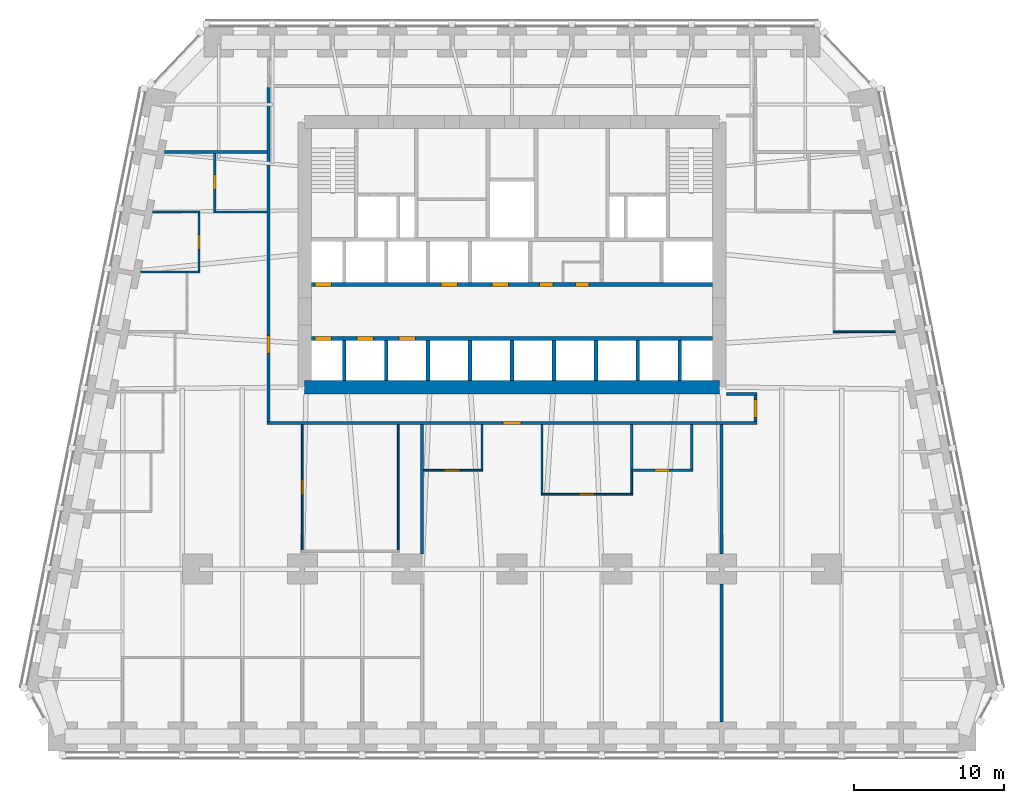
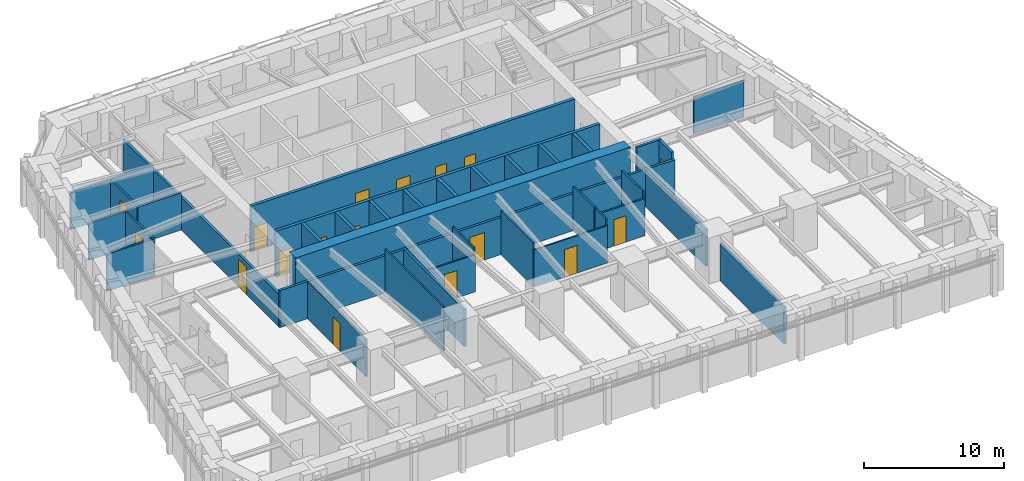
# One storey, part 6 of 10: 36 walls, 17 doors, 17 openings.
"""IFC4 building model written with IfcOpenShell, lengths in metres."""

from ifc_helpers import new_model, si_unit, direction, frame, frame_2d, origin, place, context, subcontext, project, spatial, rectangle, extrude, material, layer, layer_set, type_object, element, fill, save


model = new_model("IFC4")

# Units and contexts
model_context = context("Model", 3, precision=1e-05, world=origin(), true_north=direction((0.0, 1.0)))
body_context = subcontext(model_context, "Body", "Model", "MODEL_VIEW")
ifc_project = project(units=[si_unit("LENGTHUNIT", "METRE"), si_unit("AREAUNIT", "SQUARE_METRE"), si_unit("VOLUMEUNIT", "CUBIC_METRE"), si_unit("PLANEANGLEUNIT", "RADIAN"), si_unit("MASSUNIT", "GRAM", prefix="KILO")], contexts=[model_context])

# Site, building, storey
site_placement = place(None, origin())
site = spatial("IfcSite", under=ifc_project, at=site_placement, CompositionType="ELEMENT")
building_placement = place(site_placement, origin())
building = spatial("IfcBuilding", under=site, at=building_placement, Name="Isbrekke Arena Tower", CompositionType="ELEMENT")
storey_placement = place(building_placement, frame((0.0, 0.0, 56.0)))
storey = spatial("IfcBuildingStorey", under=building, at=storey_placement, Name="L11", CompositionType="ELEMENT", Elevation=56.0)

# Wall
ifc_material_1 = material(Name="Concrete B65 (C65/80)", Category="concrete")
ifc_layer_1 = layer(ifc_material_1, 0.89990234375)
ifc_layer_set_1 = layer_set([ifc_layer_1], Name="CW2 CORE WALL 900")
wall_type_1 = type_object("IfcWallType", Name="CW2 CORE WALL 900", PredefinedType="SHEAR", material=ifc_layer_set_1)
wall_1_placement = place(storey_placement, frame((-13.85009765625, 6.14990234375, 0.0), z_axis=(0.0, 0.0, 1.0), x_axis=(1.0, 0.0, 0.0)))
element("IfcWall", 1, at=wall_1_placement, inside=storey, type_object=wall_type_1, Name="Core wall S L11", PredefinedType="SHEAR", context=body_context, shape_type="SweptSolid", body=[
    extrude(rectangle(XDim=27.7001953125, YDim=0.89990234375, at=frame_2d((13.85009765625, 0.0))), origin(), (0.0, 0.0, 1.0), 4.0),
])

# Wall, openings, doors
ifc_material_2 = material(Name="Concrete B45 (C45/55)", Category="concrete")
ifc_layer_2 = layer(ifc_material_2, 0.25)
ifc_layer_set_2 = layer_set([ifc_layer_2], Name="CW6 SHAFT WALL 250")
wall_type_2 = type_object("IfcWallType", Name="CW6 SHAFT WALL 250", PredefinedType="SHEAR", material=ifc_layer_set_2)
wall_2_placement = place(storey_placement, frame((-13.39990234375, 9.39990234375, 0.0), z_axis=(0.0, 0.0, 1.0), x_axis=(1.0, 0.0, 0.0)))
wall_2 = element("IfcWall", 2, at=wall_2_placement, inside=storey, type_object=wall_type_2, Name="Core wall LS L11", PredefinedType="SHEAR", context=body_context, shape_type="SweptSolid", body=[
    extrude(rectangle(XDim=26.7998046875, YDim=0.25, at=frame_2d((13.39990234375, 0.0))), origin(), (0.0, 0.0, 1.0), 4.0),
])
opening_1_placement = place(wall_2_placement, frame((0.25, 0.0, 0.0)))
opening_1 = element("IfcOpeningElement", 3, at=opening_1_placement, cuts=wall_2, Name="Opening LD1", PredefinedType="OPENING", context=body_context, shape_type="SweptSolid", body=[
    extrude(rectangle(XDim=1.10009765625, YDim=2.10009765625, at=frame_2d((0.550048828125, 1.050048828125))), frame((0.0, 0.139892578125, 0.0), z_axis=(0.0, -1.0, 0.0), x_axis=(1.0, 0.0, 0.0)), (0.0, 0.0, 1.0), 0.27978515625),
])
opening_2_placement = place(wall_2_placement, frame((3.050048828125, 0.0, 0.0)))
opening_2 = element("IfcOpeningElement", 4, at=opening_2_placement, cuts=wall_2, Name="Opening LD1", PredefinedType="OPENING", context=body_context, shape_type="SweptSolid", body=[
    extrude(rectangle(XDim=1.10009765625, YDim=2.10009765625, at=frame_2d((0.550048828125, 1.050048828125))), frame((0.0, 0.139892578125, 0.0), z_axis=(0.0, -1.0, 0.0), x_axis=(1.0, 0.0, 0.0)), (0.0, 0.0, 1.0), 0.27978515625),
])
opening_3_placement = place(wall_2_placement, frame((5.85009765625, 0.0, 0.0)))
opening_3 = element("IfcOpeningElement", 5, at=opening_3_placement, cuts=wall_2, Name="Opening LD1", PredefinedType="OPENING", context=body_context, shape_type="SweptSolid", body=[
    extrude(rectangle(XDim=1.10009765625, YDim=2.10009765625, at=frame_2d((0.550048828125, 1.050048828125))), frame((0.0, 0.139892578125, 0.0), z_axis=(0.0, -1.0, 0.0), x_axis=(1.0, 0.0, 0.0)), (0.0, 0.0, 1.0), 0.27978515625),
])
ifc_material_3 = material(Name="Stainless steel lift landing door", Category="steel")
door_type_1 = type_object("IfcDoorType", Name="LD1 LIFT LANDING DOOR 1100 x 2100", OperationType="SLIDING_TO_LEFT", PredefinedType="DOOR", material=ifc_material_3)
door_1_placement = place(opening_1_placement, origin())
door_1 = element("IfcDoor", 6, at=door_1_placement, inside=storey, type_object=door_type_1, Name="LD1 lift landing door LA L11", OperationType="SLIDING_TO_LEFT", OverallHeight=2.10009765625, OverallWidth=1.10009765625, PredefinedType="DOOR", context=body_context, shape_type="SweptSolid", body=[
    extrude(rectangle(XDim=1.10009765625, YDim=2.10009765625, at=frame_2d((0.550048828125, 1.050048828125))), frame((0.0, 0.124755859375, 0.0), z_axis=(0.0, -1.0, 0.0), x_axis=(1.0, 0.0, 0.0)), (0.0, 0.0, 1.0), 0.24951171875),
])
fill(opening_1, door_1)
door_2_placement = place(opening_2_placement, origin())
door_2 = element("IfcDoor", 7, at=door_2_placement, inside=storey, type_object=door_type_1, Name="LD1 lift landing door LA L11", OperationType="SLIDING_TO_LEFT", OverallHeight=2.10009765625, OverallWidth=1.10009765625, PredefinedType="DOOR", context=body_context, shape_type="SweptSolid", body=[
    extrude(rectangle(XDim=1.10009765625, YDim=2.10009765625, at=frame_2d((0.550048828125, 1.050048828125))), frame((0.0, 0.124755859375, 0.0), z_axis=(0.0, -1.0, 0.0), x_axis=(1.0, 0.0, 0.0)), (0.0, 0.0, 1.0), 0.24951171875),
])
fill(opening_2, door_2)
door_3_placement = place(opening_3_placement, origin())
door_3 = element("IfcDoor", 8, at=door_3_placement, inside=storey, type_object=door_type_1, Name="LD1 lift landing door LA L11", OperationType="SLIDING_TO_LEFT", OverallHeight=2.10009765625, OverallWidth=1.10009765625, PredefinedType="DOOR", context=body_context, shape_type="SweptSolid", body=[
    extrude(rectangle(XDim=1.10009765625, YDim=2.10009765625, at=frame_2d((0.550048828125, 1.050048828125))), frame((0.0, 0.124755859375, 0.0), z_axis=(0.0, -1.0, 0.0), x_axis=(1.0, 0.0, 0.0)), (0.0, 0.0, 1.0), 0.24951171875),
])
fill(opening_3, door_3)

wall_3_placement = place(storey_placement, frame((-13.39990234375, 13.0, 0.0), z_axis=(0.0, 0.0, 1.0), x_axis=(1.0, 0.0, 0.0)))
wall_3 = element("IfcWall", 9, at=wall_3_placement, inside=storey, type_object=wall_type_2, Name="Core wall LN L11", PredefinedType="SHEAR", context=body_context, shape_type="SweptSolid", body=[
    extrude(rectangle(XDim=26.7998046875, YDim=0.25, at=frame_2d((13.39990234375, 0.0))), origin(), (0.0, 0.0, 1.0), 4.0),
])
opening_4_placement = place(wall_3_placement, frame((0.25, 0.0, 0.0)))
opening_4 = element("IfcOpeningElement", 10, at=opening_4_placement, cuts=wall_3, Name="Opening LD1", PredefinedType="OPENING", context=body_context, shape_type="SweptSolid", body=[
    extrude(rectangle(XDim=1.10009765625, YDim=2.10009765625, at=frame_2d((0.550048828125, 1.050048828125))), frame((0.0, 0.139892578125, 0.0), z_axis=(0.0, -1.0, 0.0), x_axis=(1.0, 0.0, 0.0)), (0.0, 0.0, 1.0), 0.27978515625),
])
opening_5_placement = place(wall_3_placement, frame((8.64990234375, 0.0, 0.0)))
opening_5 = element("IfcOpeningElement", 11, at=opening_5_placement, cuts=wall_3, Name="Opening LD1", PredefinedType="OPENING", context=body_context, shape_type="SweptSolid", body=[
    extrude(rectangle(XDim=1.10009765625, YDim=2.10009765625, at=frame_2d((0.550048828125, 1.050048828125))), frame((0.0, 0.139892578125, 0.0), z_axis=(0.0, -1.0, 0.0), x_axis=(1.0, 0.0, 0.0)), (0.0, 0.0, 1.0), 0.27978515625),
])
opening_6_placement = place(wall_3_placement, frame((12.050048828125, 0.0, 0.0)))
opening_6 = element("IfcOpeningElement", 12, at=opening_6_placement, cuts=wall_3, Name="Opening LD1", PredefinedType="OPENING", context=body_context, shape_type="SweptSolid", body=[
    extrude(rectangle(XDim=1.10009765625, YDim=2.10009765625, at=frame_2d((0.550048828125, 1.050048828125))), frame((0.0, 0.139892578125, 0.0), z_axis=(0.0, -1.0, 0.0), x_axis=(1.0, 0.0, 0.0)), (0.0, 0.0, 1.0), 0.27978515625),
])
opening_7_placement = place(wall_3_placement, frame((15.25, 0.0, 0.0)))
opening_7 = element("IfcOpeningElement", 13, at=opening_7_placement, cuts=wall_3, Name="Opening D5", PredefinedType="OPENING", context=body_context, shape_type="SweptSolid", body=[
    extrude(rectangle(XDim=0.89990234375, YDim=2.10009765625, at=frame_2d((0.449951171875, 1.050048828125))), frame((0.0, 0.139892578125, 0.0), z_axis=(0.0, -1.0, 0.0), x_axis=(1.0, 0.0, 0.0)), (0.0, 0.0, 1.0), 0.27978515625),
])
opening_8_placement = place(wall_3_placement, frame((17.64990234375, 0.0, 0.0)))
opening_8 = element("IfcOpeningElement", 14, at=opening_8_placement, cuts=wall_3, Name="Opening D5", PredefinedType="OPENING", context=body_context, shape_type="SweptSolid", body=[
    extrude(rectangle(XDim=0.89990234375, YDim=2.10009765625, at=frame_2d((0.449951171875, 1.050048828125))), frame((0.0, 0.139892578125, 0.0), z_axis=(0.0, -1.0, 0.0), x_axis=(1.0, 0.0, 0.0)), (0.0, 0.0, 1.0), 0.27978515625),
])
ifc_material_4 = material(Name="Steel fire door", Category="steel")
door_type_2 = type_object("IfcDoorType", Name="D5 SERVICE DOOR 900 x 2100", OperationType="SINGLE_SWING_LEFT", PredefinedType="DOOR", material=ifc_material_4)
door_4_placement = place(opening_7_placement, origin())
door_4 = element("IfcDoor", 15, at=door_4_placement, inside=storey, type_object=door_type_2, Name="D5 communications room door L11", OperationType="SINGLE_SWING_LEFT", OverallHeight=2.10009765625, OverallWidth=0.89990234375, PredefinedType="DOOR", context=body_context, shape_type="SweptSolid", body=[
    extrude(rectangle(XDim=0.89990234375, YDim=2.10009765625, at=frame_2d((0.449951171875, 1.050048828125))), frame((0.0, 0.124755859375, 0.0), z_axis=(0.0, -1.0, 0.0), x_axis=(1.0, 0.0, 0.0)), (0.0, 0.0, 1.0), 0.24951171875),
])
fill(opening_7, door_4)
door_5_placement = place(opening_8_placement, origin())
door_5 = element("IfcDoor", 16, at=door_5_placement, inside=storey, type_object=door_type_2, Name="D5 cleaner's store door L11", OperationType="SINGLE_SWING_LEFT", OverallHeight=2.10009765625, OverallWidth=0.89990234375, PredefinedType="DOOR", context=body_context, shape_type="SweptSolid", body=[
    extrude(rectangle(XDim=0.89990234375, YDim=2.10009765625, at=frame_2d((0.449951171875, 1.050048828125))), frame((0.0, 0.124755859375, 0.0), z_axis=(0.0, -1.0, 0.0), x_axis=(1.0, 0.0, 0.0)), (0.0, 0.0, 1.0), 0.24951171875),
])
fill(opening_8, door_5)
door_6_placement = place(opening_4_placement, origin())
door_6 = element("IfcDoor", 17, at=door_6_placement, inside=storey, type_object=door_type_1, Name="LD1 lift landing door LA L11", OperationType="SLIDING_TO_LEFT", OverallHeight=2.10009765625, OverallWidth=1.10009765625, PredefinedType="DOOR", context=body_context, shape_type="SweptSolid", body=[
    extrude(rectangle(XDim=1.10009765625, YDim=2.10009765625, at=frame_2d((0.550048828125, 1.050048828125))), frame((0.0, 0.124755859375, 0.0), z_axis=(0.0, -1.0, 0.0), x_axis=(1.0, 0.0, 0.0)), (0.0, 0.0, 1.0), 0.24951171875),
])
fill(opening_4, door_6)
door_7_placement = place(opening_5_placement, origin())
door_7 = element("IfcDoor", 18, at=door_7_placement, inside=storey, type_object=door_type_1, Name="LD1 lift landing door LA L11", OperationType="SLIDING_TO_LEFT", OverallHeight=2.10009765625, OverallWidth=1.10009765625, PredefinedType="DOOR", context=body_context, shape_type="SweptSolid", body=[
    extrude(rectangle(XDim=1.10009765625, YDim=2.10009765625, at=frame_2d((0.550048828125, 1.050048828125))), frame((0.0, 0.124755859375, 0.0), z_axis=(0.0, -1.0, 0.0), x_axis=(1.0, 0.0, 0.0)), (0.0, 0.0, 1.0), 0.24951171875),
])
fill(opening_5, door_7)
door_8_placement = place(opening_6_placement, origin())
door_8 = element("IfcDoor", 19, at=door_8_placement, inside=storey, type_object=door_type_1, Name="LD1 lift landing door LA L11", OperationType="SLIDING_TO_LEFT", OverallHeight=2.10009765625, OverallWidth=1.10009765625, PredefinedType="DOOR", context=body_context, shape_type="SweptSolid", body=[
    extrude(rectangle(XDim=1.10009765625, YDim=2.10009765625, at=frame_2d((0.550048828125, 1.050048828125))), frame((0.0, 0.124755859375, 0.0), z_axis=(0.0, -1.0, 0.0), x_axis=(1.0, 0.0, 0.0)), (0.0, 0.0, 1.0), 0.24951171875),
])
fill(opening_6, door_8)

# Walls
for number, where, z_axis, x_axis, name in (
    (20, (-11.199951171875, 6.60009765625, 0.0), (0.0, 0.0, 1.0), (0.0, 1.0, 0.0), "Core wall SS01 L11"),
    (21, (-8.39990234375, 6.60009765625, 0.0), (0.0, 0.0, 1.0), (0.0, 1.0, 0.0), "Core wall SS02 L11"),
    (22, (-5.60009765625, 6.60009765625, 0.0), (0.0, 0.0, 1.0), (0.0, 1.0, 0.0), "Core wall SS03 L11"),
    (23, (-2.800048828125, 6.60009765625, 0.0), (0.0, 0.0, 1.0), (0.0, 1.0, 0.0), "Core wall SS04 L11"),
    (24, (0.0, 6.60009765625, 0.0), (0.0, 0.0, 1.0), (0.0, 1.0, 0.0), "Core wall SS05 L11"),
    (25, (2.800048828125, 6.60009765625, 0.0), (0.0, 0.0, 1.0), (0.0, 1.0, 0.0), "Core wall SS06 L11"),
    (26, (5.60009765625, 6.60009765625, 0.0), (0.0, 0.0, 1.0), (0.0, 1.0, 0.0), "Core wall SS07 L11"),
    (27, (8.39990234375, 6.60009765625, 0.0), (0.0, 0.0, 1.0), (0.0, 1.0, 0.0), "Core wall SS08 L11"),
    (28, (11.199951171875, 6.60009765625, 0.0), (0.0, 0.0, 1.0), (0.0, 1.0, 0.0), "Core wall SS09 L11"),
):
    element("IfcWall", number, at=place(storey_placement, frame(where, z_axis=z_axis, x_axis=x_axis)), inside=storey, type_object=wall_type_2, Name=name, PredefinedType="SHEAR", context=body_context, shape_type="SweptSolid", body=[
        extrude(rectangle(XDim=2.6748046875, YDim=0.25, at=frame_2d((1.33740234375, 0.0))), origin(), (0.0, 0.0, 1.0), 4.0),
    ])

# Wall, opening, door
ifc_material_5 = material(Name="Gypsum board partition on steel studs", Category="steel")
ifc_layer_3 = layer(ifc_material_5, 0.14990234375)
ifc_layer_set_3 = layer_set([ifc_layer_3], Name="IW1 PARTITION 150")
wall_type_3 = type_object("IfcWallType", Name="IW1 PARTITION 150", PredefinedType="PARTITIONING", material=ifc_layer_set_3)
wall_4_placement = place(storey_placement, frame((7.925048828125, 0.60009765625, 0.0), z_axis=(0.0, 0.0, 1.0), x_axis=(1.0, 0.0, 0.0)))
wall_4 = element("IfcWall", 29, at=wall_4_placement, inside=storey, type_object=wall_type_3, Name="IW1 partition 150 L11", PredefinedType="PARTITIONING", context=body_context, shape_type="SweptSolid", body=[
    extrude(rectangle(XDim=4.14990234375, YDim=0.14990234375, at=frame_2d((2.074951171875, 0.0))), origin(), (0.0, 0.0, 1.0), 3.25),
])
opening_9_placement = place(wall_4_placement, frame((1.574951171875, 0.0, 0.0)))
opening_9 = element("IfcOpeningElement", 30, at=opening_9_placement, cuts=wall_4, Name="Opening D10", PredefinedType="OPENING", context=body_context, shape_type="SweptSolid", body=[
    extrude(rectangle(XDim=1.0, YDim=2.300048828125, at=frame_2d((0.5, 1.14990234375))), frame((0.0, 0.08984375, 0.0), z_axis=(0.0, -1.0, 0.0), x_axis=(1.0, 0.0, 0.0)), (0.0, 0.0, 1.0), 0.1796875),
])
ifc_material_6 = material(Name="Timber door", Category="wood")
door_type_3 = type_object("IfcDoorType", Name="D10 OFFICE DOOR 1000 x 2300", OperationType="SINGLE_SWING_LEFT", PredefinedType="DOOR", material=ifc_material_6)
door_9_placement = place(opening_9_placement, origin())
door_9 = element("IfcDoor", 31, at=door_9_placement, inside=storey, type_object=door_type_3, Name="D10 pantry door L11", OperationType="SINGLE_SWING_LEFT", OverallHeight=2.300048828125, OverallWidth=1.0, PredefinedType="DOOR", context=body_context, shape_type="SweptSolid", body=[
    extrude(rectangle(XDim=1.0, YDim=2.300048828125, at=frame_2d((0.5, 1.14990234375))), frame((0.0, 0.07470703125, 0.0), z_axis=(0.0, -1.0, 0.0), x_axis=(1.0, 0.0, 0.0)), (0.0, 0.0, 1.0), 0.1494140625),
])
fill(opening_9, door_9)

# Walls
wall_5_placement = place(storey_placement, frame((-24.79638671875, 13.840087890625, 0.0), z_axis=(0.0, 0.0, 1.0), x_axis=(1.0, 0.0, 0.0)))
element("IfcWall", 32, at=wall_5_placement, inside=storey, type_object=wall_type_3, Name="IW1 partition 150 L11", PredefinedType="PARTITIONING", context=body_context, shape_type="SweptSolid", body=[
    extrude(rectangle(XDim=3.971435546875, YDim=0.14990234375, at=frame_2d((1.98583984375, 0.0))), origin(), (0.0, 0.0, 1.0), 3.25),
])
wall_6_placement = place(storey_placement, frame((-23.996337890625, 17.840087890625, 0.0), z_axis=(0.0, 0.0, 1.0), x_axis=(1.0, 0.0, 0.0)))
element("IfcWall", 33, at=wall_6_placement, inside=storey, type_object=wall_type_3, Name="IW1 partition 150 L11", PredefinedType="PARTITIONING", context=body_context, shape_type="SweptSolid", body=[
    extrude(rectangle(XDim=3.17138671875, YDim=0.14990234375, at=frame_2d((1.585693359375, 0.0))), origin(), (0.0, 0.0, 1.0), 3.25),
])
wall_7_placement = place(storey_placement, frame((-19.925048828125, 17.840087890625, 0.0), z_axis=(0.0, 0.0, 1.0), x_axis=(1.0, 0.0, 0.0)))
element("IfcWall", 34, at=wall_7_placement, inside=storey, type_object=wall_type_3, Name="IW1 partition 150 L11", PredefinedType="PARTITIONING", context=body_context, shape_type="SweptSolid", body=[
    extrude(rectangle(XDim=3.574951171875, YDim=0.14990234375, at=frame_2d((1.78759765625, 0.0))), origin(), (0.0, 0.0, 1.0), 3.25),
])

# Wall, opening, door
wall_8_placement = place(storey_placement, frame((-20.89990234375, 13.9150390625, 0.0), z_axis=(0.0, 0.0, 1.0), x_axis=(0.0, 1.0, 0.0)))
wall_8 = element("IfcWall", 35, at=wall_8_placement, inside=storey, type_object=wall_type_3, Name="IW1 partition 150 L11", PredefinedType="PARTITIONING", context=body_context, shape_type="SweptSolid", body=[
    extrude(rectangle(XDim=3.849853515625, YDim=0.14990234375, at=frame_2d((1.9248046875, 0.0))), origin(), (0.0, 0.0, 1.0), 3.25),
])
opening_10_placement = place(wall_8_placement, frame((1.425048828125, 0.0, 0.0)))
opening_10 = element("IfcOpeningElement", 36, at=opening_10_placement, cuts=wall_8, Name="Opening D10", PredefinedType="OPENING", context=body_context, shape_type="SweptSolid", body=[
    extrude(rectangle(XDim=1.0, YDim=2.300048828125, at=frame_2d((0.5, 1.14990234375))), frame((0.0, 0.08984375, 0.0), z_axis=(0.0, -1.0, 0.0), x_axis=(1.0, 0.0, 0.0)), (0.0, 0.0, 1.0), 0.1796875),
])
door_10_placement = place(opening_10_placement, origin())
door_10 = element("IfcDoor", 37, at=door_10_placement, inside=storey, type_object=door_type_3, Name="D10 office door L11", OperationType="SINGLE_SWING_LEFT", OverallHeight=2.300048828125, OverallWidth=1.0, PredefinedType="DOOR", context=body_context, shape_type="SweptSolid", body=[
    extrude(rectangle(XDim=1.0, YDim=2.300048828125, at=frame_2d((0.5, 1.14990234375))), frame((0.0, 0.07470703125, 0.0), z_axis=(0.0, -1.0, 0.0), x_axis=(1.0, 0.0, 0.0)), (0.0, 0.0, 1.0), 0.1494140625),
])
fill(opening_10, door_10)

wall_9_placement = place(storey_placement, frame((-19.85009765625, 17.9150390625, 0.0), z_axis=(0.0, 0.0, 1.0), x_axis=(0.0, 1.0, 0.0)))
wall_9 = element("IfcWall", 38, at=wall_9_placement, inside=storey, type_object=wall_type_3, Name="IW1 partition 150 L11", PredefinedType="PARTITIONING", context=body_context, shape_type="SweptSolid", body=[
    extrude(rectangle(XDim=3.824951171875, YDim=0.14990234375, at=frame_2d((1.91259765625, 0.0))), origin(), (0.0, 0.0, 1.0), 3.25),
])
opening_11_placement = place(wall_9_placement, frame((1.425048828125, 0.0, 0.0)))
opening_11 = element("IfcOpeningElement", 39, at=opening_11_placement, cuts=wall_9, Name="Opening D10", PredefinedType="OPENING", context=body_context, shape_type="SweptSolid", body=[
    extrude(rectangle(XDim=1.0, YDim=2.300048828125, at=frame_2d((0.5, 1.14990234375))), frame((0.0, 0.08984375, 0.0), z_axis=(0.0, -1.0, 0.0), x_axis=(1.0, 0.0, 0.0)), (0.0, 0.0, 1.0), 0.1796875),
])
door_11_placement = place(opening_11_placement, origin())
door_11 = element("IfcDoor", 40, at=door_11_placement, inside=storey, type_object=door_type_3, Name="D10 pantry door L11", OperationType="SINGLE_SWING_LEFT", OverallHeight=2.300048828125, OverallWidth=1.0, PredefinedType="DOOR", context=body_context, shape_type="SweptSolid", body=[
    extrude(rectangle(XDim=1.0, YDim=2.300048828125, at=frame_2d((0.5, 1.14990234375))), frame((0.0, 0.07470703125, 0.0), z_axis=(0.0, -1.0, 0.0), x_axis=(1.0, 0.0, 0.0)), (0.0, 0.0, 1.0), 0.1494140625),
])
fill(opening_11, door_11)

# Walls
for number, where, z_axis, x_axis, name in (
    (41, (8.0, 0.675048828125, 0.0), (0.0, 0.0, 1.0), (0.0, 1.0, 0.0), "IW1 partition 150 L11"),
    (42, (12.0, 0.675048828125, 0.0), (0.0, 0.0, 1.0), (0.0, 1.0, 0.0), "IW1 partition 150 L11"),
):
    element("IfcWall", number, at=place(storey_placement, frame(where, z_axis=z_axis, x_axis=x_axis)), inside=storey, type_object=wall_type_3, Name=name, PredefinedType="PARTITIONING", context=body_context, shape_type="SweptSolid", body=[
        extrude(rectangle(XDim=2.974853515625, YDim=0.14990234375, at=frame_2d((1.4873046875, 0.0))), origin(), (0.0, 0.0, 1.0), 3.85009765625),
    ])

# Wall, opening, door
ifc_material_7 = material(Name="Frameless glazed partition, laminated acoustic glass", Category="glass")
ifc_layer_4 = layer(ifc_material_7, 0.1201171875)
ifc_layer_set_4 = layer_set([ifc_layer_4], Name="IW2 GLAZED PARTITION 120")
wall_type_4 = type_object("IfcWallType", Name="IW2 GLAZED PARTITION 120", PredefinedType="PARTITIONING", material=ifc_layer_set_4)
wall_10_placement = place(storey_placement, frame((1.93994140625, -1.0, 0.0), z_axis=(0.0, 0.0, 1.0), x_axis=(1.0, 0.0, 0.0)))
wall_10 = element("IfcWall", 43, at=wall_10_placement, inside=storey, type_object=wall_type_4, Name="IW2 glazed partition 120 L11", PredefinedType="PARTITIONING", context=body_context, shape_type="SweptSolid", body=[
    extrude(rectangle(XDim=6.1201171875, YDim=0.1201171875, at=frame_2d((3.06005859375, 0.0))), origin(), (0.0, 0.0, 1.0), 3.25),
])
opening_12_placement = place(wall_10_placement, frame((2.56005859375, 0.0, 0.0)))
opening_12 = element("IfcOpeningElement", 44, at=opening_12_placement, cuts=wall_10, Name="Opening D11", PredefinedType="OPENING", context=body_context, shape_type="SweptSolid", body=[
    extrude(rectangle(XDim=1.0, YDim=2.39990234375, at=frame_2d((0.5, 1.199951171875))), frame((0.0, 0.074951171875, 0.0), z_axis=(0.0, -1.0, 0.0), x_axis=(1.0, 0.0, 0.0)), (0.0, 0.0, 1.0), 0.14990234375),
])
ifc_material_8 = material(Name="Frameless glazed door", Category="glass")
door_type_4 = type_object("IfcDoorType", Name="D11 GLAZED MEETING ROOM DOOR 1000 x 2400", OperationType="SINGLE_SWING_RIGHT", PredefinedType="DOOR", material=ifc_material_8)
door_12_placement = place(opening_12_placement, origin())
door_12 = element("IfcDoor", 45, at=door_12_placement, inside=storey, type_object=door_type_4, Name="D11 meeting room door L11", OperationType="SINGLE_SWING_RIGHT", OverallHeight=2.39990234375, OverallWidth=1.0, PredefinedType="DOOR", context=body_context, shape_type="SweptSolid", body=[
    extrude(rectangle(XDim=1.0, YDim=2.39990234375, at=frame_2d((0.5, 1.199951171875))), frame((0.0, 0.059814453125, 0.0), z_axis=(0.0, -1.0, 0.0), x_axis=(1.0, 0.0, 0.0)), (0.0, 0.0, 1.0), 0.11962890625),
])
fill(opening_12, door_12)

wall_11_placement = place(storey_placement, frame((-5.89990234375, 0.60009765625, 0.0), z_axis=(0.0, 0.0, 1.0), x_axis=(1.0, 0.0, 0.0)))
wall_11 = element("IfcWall", 46, at=wall_11_placement, inside=storey, type_object=wall_type_4, Name="IW2 glazed partition 120 L11", PredefinedType="PARTITIONING", context=body_context, shape_type="SweptSolid", body=[
    extrude(rectangle(XDim=3.9599609375, YDim=0.1201171875, at=frame_2d((1.97998046875, 0.0))), origin(), (0.0, 0.0, 1.0), 3.25),
])
opening_13_placement = place(wall_11_placement, frame((1.39990234375, 0.0, 0.0)))
opening_13 = element("IfcOpeningElement", 47, at=opening_13_placement, cuts=wall_11, Name="Opening D11", PredefinedType="OPENING", context=body_context, shape_type="SweptSolid", body=[
    extrude(rectangle(XDim=1.0, YDim=2.39990234375, at=frame_2d((0.5, 1.199951171875))), frame((0.0, 0.074951171875, 0.0), z_axis=(0.0, -1.0, 0.0), x_axis=(1.0, 0.0, 0.0)), (0.0, 0.0, 1.0), 0.14990234375),
])
door_13_placement = place(opening_13_placement, origin())
door_13 = element("IfcDoor", 48, at=door_13_placement, inside=storey, type_object=door_type_4, Name="D11 quiet room door L11", OperationType="SINGLE_SWING_RIGHT", OverallHeight=2.39990234375, OverallWidth=1.0, PredefinedType="DOOR", context=body_context, shape_type="SweptSolid", body=[
    extrude(rectangle(XDim=1.0, YDim=2.39990234375, at=frame_2d((0.5, 1.199951171875))), frame((0.0, 0.059814453125, 0.0), z_axis=(0.0, -1.0, 0.0), x_axis=(1.0, 0.0, 0.0)), (0.0, 0.0, 1.0), 0.11962890625),
])
fill(opening_13, door_13)

# Wall
wall_12_placement = place(storey_placement, frame((21.43994140625, 9.840087890625, 0.0), z_axis=(0.0, 0.0, 1.0), x_axis=(1.0, 0.0, 0.0)))
element("IfcWall", 49, at=wall_12_placement, inside=storey, type_object=wall_type_4, Name="IW2 glazed partition 120 L11", PredefinedType="PARTITIONING", context=body_context, shape_type="SweptSolid", body=[
    extrude(rectangle(XDim=4.156494140625, YDim=0.1201171875, at=frame_2d((2.078125, 0.0))), origin(), (0.0, 0.0, 1.0), 3.25),
])

# Wall, opening, door
wall_13_placement = place(storey_placement, frame((-14.0, -4.739990234375, 0.0), z_axis=(0.0, 0.0, 1.0), x_axis=(0.0, 1.0, 0.0)))
wall_13 = element("IfcWall", 50, at=wall_13_placement, inside=storey, type_object=wall_type_4, Name="IW2 glazed partition 120 L11", PredefinedType="PARTITIONING", context=body_context, shape_type="SweptSolid", body=[
    extrude(rectangle(XDim=8.389892578125, YDim=0.1201171875, at=frame_2d((4.19482421875, 0.0))), origin(), (0.0, 0.0, 1.0), 3.25),
])
opening_14_placement = place(wall_13_placement, frame((3.715087890625, 0.0, 0.0)))
opening_14 = element("IfcOpeningElement", 51, at=opening_14_placement, cuts=wall_13, Name="Opening D11", PredefinedType="OPENING", context=body_context, shape_type="SweptSolid", body=[
    extrude(rectangle(XDim=1.0, YDim=2.39990234375, at=frame_2d((0.5, 1.199951171875))), frame((0.0, 0.074951171875, 0.0), z_axis=(0.0, -1.0, 0.0), x_axis=(1.0, 0.0, 0.0)), (0.0, 0.0, 1.0), 0.14990234375),
])
door_14_placement = place(opening_14_placement, origin())
door_14 = element("IfcDoor", 52, at=door_14_placement, inside=storey, type_object=door_type_4, Name="D11 meeting room door L11", OperationType="SINGLE_SWING_RIGHT", OverallHeight=2.39990234375, OverallWidth=1.0, PredefinedType="DOOR", context=body_context, shape_type="SweptSolid", body=[
    extrude(rectangle(XDim=1.0, YDim=2.39990234375, at=frame_2d((0.5, 1.199951171875))), frame((0.0, 0.059814453125, 0.0), z_axis=(0.0, -1.0, 0.0), x_axis=(1.0, 0.0, 0.0)), (0.0, 0.0, 1.0), 0.11962890625),
])
fill(opening_14, door_14)

# Walls
wall_14_placement = place(storey_placement, frame((-7.60009765625, -4.739990234375, 0.0), z_axis=(0.0, 0.0, 1.0), x_axis=(0.0, 1.0, 0.0)))
element("IfcWall", 53, at=wall_14_placement, inside=storey, type_object=wall_type_4, Name="IW2 glazed partition 120 L11", PredefinedType="PARTITIONING", context=body_context, shape_type="SweptSolid", body=[
    extrude(rectangle(XDim=8.389892578125, YDim=0.1201171875, at=frame_2d((4.19482421875, 0.0))), origin(), (0.0, 0.0, 1.0), 3.85009765625),
])
wall_15_placement = place(storey_placement, frame((-2.0, 0.659912109375, 0.0), z_axis=(0.0, 0.0, 1.0), x_axis=(0.0, 1.0, 0.0)))
element("IfcWall", 54, at=wall_15_placement, inside=storey, type_object=wall_type_4, Name="IW2 glazed partition 120 L11", PredefinedType="PARTITIONING", context=body_context, shape_type="SweptSolid", body=[
    extrude(rectangle(XDim=2.989990234375, YDim=0.1201171875, at=frame_2d((1.4951171875, 0.0))), origin(), (0.0, 0.0, 1.0), 3.85009765625),
])
wall_16_placement = place(storey_placement, frame((2.0, -0.93994140625, 0.0), z_axis=(0.0, 0.0, 1.0), x_axis=(0.0, 1.0, 0.0)))
element("IfcWall", 55, at=wall_16_placement, inside=storey, type_object=wall_type_4, Name="IW2 glazed partition 120 L11", PredefinedType="PARTITIONING", context=body_context, shape_type="SweptSolid", body=[
    extrude(rectangle(XDim=4.58984375, YDim=0.1201171875, at=frame_2d((2.294921875, 0.0))), origin(), (0.0, 0.0, 1.0), 3.85009765625),
])
wall_17_placement = place(storey_placement, frame((8.0, -0.93994140625, 0.0), z_axis=(0.0, 0.0, 1.0), x_axis=(0.0, 1.0, 0.0)))
element("IfcWall", 56, at=wall_17_placement, inside=storey, type_object=wall_type_4, Name="IW2 glazed partition 120 L11", PredefinedType="PARTITIONING", context=body_context, shape_type="SweptSolid", body=[
    extrude(rectangle(XDim=1.46484375, YDim=0.1201171875, at=frame_2d((0.732421875, 0.0))), origin(), (0.0, 0.0, 1.0), 3.85009765625),
])

# Wall, opening, door
ifc_material_9 = material(Name="Gypsum board fire-cell wall on steel studs, two layers each side", Category="steel")
ifc_layer_5 = layer(ifc_material_9, 0.199951171875)
ifc_layer_set_5 = layer_set([ifc_layer_5], Name="IW3 FIRE-CELL WALL 200")
wall_type_5 = type_object("IfcWallType", Name="IW3 FIRE-CELL WALL 200", PredefinedType="PARTITIONING", material=ifc_layer_set_5)
wall_18_placement = place(storey_placement, frame((-16.35009765625, 3.75, 0.0), z_axis=(0.0, 0.0, 1.0), x_axis=(1.0, 0.0, 0.0)))
wall_18 = element("IfcWall", 57, at=wall_18_placement, inside=storey, type_object=wall_type_5, Name="IW3 fire-cell wall 200 L11", PredefinedType="PARTITIONING", context=body_context, shape_type="SweptSolid", body=[
    extrude(rectangle(XDim=32.7001953125, YDim=0.199951171875, at=frame_2d((16.35009765625, 0.0))), origin(), (0.0, 0.0, 1.0), 3.25),
])
opening_15_placement = place(wall_18_placement, frame((15.75, 0.0, 0.0)))
opening_15 = element("IfcOpeningElement", 58, at=opening_15_placement, cuts=wall_18, Name="Opening D12", PredefinedType="OPENING", context=body_context, shape_type="SweptSolid", body=[
    extrude(rectangle(XDim=1.199951171875, YDim=2.39990234375, at=frame_2d((0.60009765625, 1.199951171875))), frame((0.0, 0.11474609375, 0.0), z_axis=(0.0, -1.0, 0.0), x_axis=(1.0, 0.0, 0.0)), (0.0, 0.0, 1.0), 0.229736328125),
])
ifc_material_10 = material(Name="Timber fire door with vision panel", Category="wood")
door_type_5 = type_object("IfcDoorType", Name="D12 SUITE ENTRANCE DOOR 1200 x 2400", OperationType="SINGLE_SWING_LEFT", PredefinedType="DOOR", material=ifc_material_10)
door_15_placement = place(opening_15_placement, origin())
door_15 = element("IfcDoor", 59, at=door_15_placement, inside=storey, type_object=door_type_5, Name="D12 suite entrance S door L11", OperationType="SINGLE_SWING_LEFT", OverallHeight=2.39990234375, OverallWidth=1.199951171875, PredefinedType="DOOR", context=body_context, shape_type="SweptSolid", body=[
    extrude(rectangle(XDim=1.199951171875, YDim=2.39990234375, at=frame_2d((0.60009765625, 1.199951171875))), frame((0.0, 0.099609375, 0.0), z_axis=(0.0, -1.0, 0.0), x_axis=(1.0, 0.0, 0.0)), (0.0, 0.0, 1.0), 0.199462890625),
])
fill(opening_15, door_15)

# Walls
wall_19_placement = place(storey_placement, frame((14.330078125, 5.699951171875, 0.0), z_axis=(0.0, 0.0, 1.0), x_axis=(1.0, 0.0, 0.0)))
element("IfcWall", 60, at=wall_19_placement, inside=storey, type_object=wall_type_5, Name="IW3 fire-cell wall 200 L11", PredefinedType="PARTITIONING", context=body_context, shape_type="SweptSolid", body=[
    extrude(rectangle(XDim=2.02001953125, YDim=0.199951171875, at=frame_2d((1.010009765625, 0.0))), origin(), (0.0, 0.0, 1.0), 3.85009765625),
])
wall_20_placement = place(storey_placement, frame((-23.1962890625, 21.840087890625, 0.0), z_axis=(0.0, 0.0, 1.0), x_axis=(1.0, 0.0, 0.0)))
element("IfcWall", 61, at=wall_20_placement, inside=storey, type_object=wall_type_5, Name="IW3 fire-cell wall 200 L11", PredefinedType="PARTITIONING", context=body_context, shape_type="SweptSolid", body=[
    extrude(rectangle(XDim=6.84619140625, YDim=0.199951171875, at=frame_2d((3.423095703125, 0.0))), origin(), (0.0, 0.0, 1.0), 3.25),
])

# Wall, opening, door
wall_21_placement = place(storey_placement, frame((-16.25, 3.85009765625, 0.0), z_axis=(0.0, 0.0, 1.0), x_axis=(0.0, 1.0, 0.0)))
wall_21 = element("IfcWall", 62, at=wall_21_placement, inside=storey, type_object=wall_type_5, Name="IW3 fire-cell wall 200 L11", PredefinedType="PARTITIONING", context=body_context, shape_type="SweptSolid", body=[
    extrude(rectangle(XDim=22.2998046875, YDim=0.199951171875, at=frame_2d((11.14990234375, 0.0))), origin(), (0.0, 0.0, 1.0), 2.842041015625),
])
opening_16_placement = place(wall_21_placement, frame((4.550048828125, 0.0, 0.0)))
opening_16 = element("IfcOpeningElement", 63, at=opening_16_placement, cuts=wall_21, Name="Opening D12", PredefinedType="OPENING", context=body_context, shape_type="SweptSolid", body=[
    extrude(rectangle(XDim=1.199951171875, YDim=2.39990234375, at=frame_2d((0.60009765625, 1.199951171875))), frame((0.0, 0.11474609375, 0.0), z_axis=(0.0, -1.0, 0.0), x_axis=(1.0, 0.0, 0.0)), (0.0, 0.0, 1.0), 0.229736328125),
])
door_16_placement = place(opening_16_placement, origin())
door_16 = element("IfcDoor", 64, at=door_16_placement, inside=storey, type_object=door_type_5, Name="D12 suite entrance W door L11", OperationType="SINGLE_SWING_LEFT", OverallHeight=2.39990234375, OverallWidth=1.199951171875, PredefinedType="DOOR", context=body_context, shape_type="SweptSolid", body=[
    extrude(rectangle(XDim=1.199951171875, YDim=2.39990234375, at=frame_2d((0.60009765625, 1.199951171875))), frame((0.0, 0.099609375, 0.0), z_axis=(0.0, -1.0, 0.0), x_axis=(1.0, 0.0, 0.0)), (0.0, 0.0, 1.0), 0.199462890625),
])
fill(opening_16, door_16)

# Walls
wall_22_placement = place(storey_placement, frame((-6.0, -5.0, 0.0), z_axis=(0.0, 0.0, 1.0), x_axis=(0.0, 1.0, 0.0)))
element("IfcWall", 65, at=wall_22_placement, inside=storey, type_object=wall_type_5, Name="IW3 fire-cell wall 200 L11", PredefinedType="PARTITIONING", context=body_context, shape_type="SweptSolid", body=[
    extrude(rectangle(XDim=8.64990234375, YDim=0.199951171875, at=frame_2d((4.324951171875, 0.0))), origin(), (0.0, 0.0, 1.0), 3.25),
])
wall_23_placement = place(storey_placement, frame((14.0, -16.199951171875, 0.0), z_axis=(0.0, 0.0, 1.0), x_axis=(0.0, 1.0, 0.0)))
element("IfcWall", 66, at=wall_23_placement, inside=storey, type_object=wall_type_5, Name="IW3 fire-cell wall 200 L11", PredefinedType="PARTITIONING", context=body_context, shape_type="SweptSolid", body=[
    extrude(rectangle(XDim=9.199951171875, YDim=0.199951171875, at=frame_2d((4.60009765625, 0.0))), origin(), (0.0, 0.0, 1.0), 3.25),
])
wall_24_placement = place(storey_placement, frame((14.0, -5.0, 0.0), z_axis=(0.0, 0.0, 1.0), x_axis=(0.0, 1.0, 0.0)))
element("IfcWall", 67, at=wall_24_placement, inside=storey, type_object=wall_type_5, Name="IW3 fire-cell wall 200 L11", PredefinedType="PARTITIONING", context=body_context, shape_type="SweptSolid", body=[
    extrude(rectangle(XDim=8.64990234375, YDim=0.199951171875, at=frame_2d((4.324951171875, 0.0))), origin(), (0.0, 0.0, 1.0), 3.25),
])

# Wall, opening, door
wall_25_placement = place(storey_placement, frame((16.25, 3.85009765625, 0.0), z_axis=(0.0, 0.0, 1.0), x_axis=(0.0, 1.0, 0.0)))
wall_25 = element("IfcWall", 68, at=wall_25_placement, inside=storey, type_object=wall_type_5, Name="IW3 fire-cell wall 200 L11", PredefinedType="PARTITIONING", context=body_context, shape_type="SweptSolid", body=[
    extrude(rectangle(XDim=1.75, YDim=0.199951171875, at=frame_2d((0.875, 0.0))), origin(), (0.0, 0.0, 1.0), 3.85009765625),
])
opening_17_placement = place(wall_25_placement, frame((0.27001953125, 0.0, 0.0)))
opening_17 = element("IfcOpeningElement", 69, at=opening_17_placement, cuts=wall_25, Name="Opening D12", PredefinedType="OPENING", context=body_context, shape_type="SweptSolid", body=[
    extrude(rectangle(XDim=1.199951171875, YDim=2.39990234375, at=frame_2d((0.60009765625, 1.199951171875))), frame((0.0, 0.11474609375, 0.0), z_axis=(0.0, -1.0, 0.0), x_axis=(1.0, 0.0, 0.0)), (0.0, 0.0, 1.0), 0.229736328125),
])
door_17_placement = place(opening_17_placement, origin())
door_17 = element("IfcDoor", 70, at=door_17_placement, inside=storey, type_object=door_type_5, Name="D12 suite entrance E door L11", OperationType="SINGLE_SWING_LEFT", OverallHeight=2.39990234375, OverallWidth=1.199951171875, PredefinedType="DOOR", context=body_context, shape_type="SweptSolid", body=[
    extrude(rectangle(XDim=1.199951171875, YDim=2.39990234375, at=frame_2d((0.60009765625, 1.199951171875))), frame((0.0, 0.099609375, 0.0), z_axis=(0.0, -1.0, 0.0), x_axis=(1.0, 0.0, 0.0)), (0.0, 0.0, 1.0), 0.199462890625),
])
fill(opening_17, door_17)

save(model, "model.ifc")
